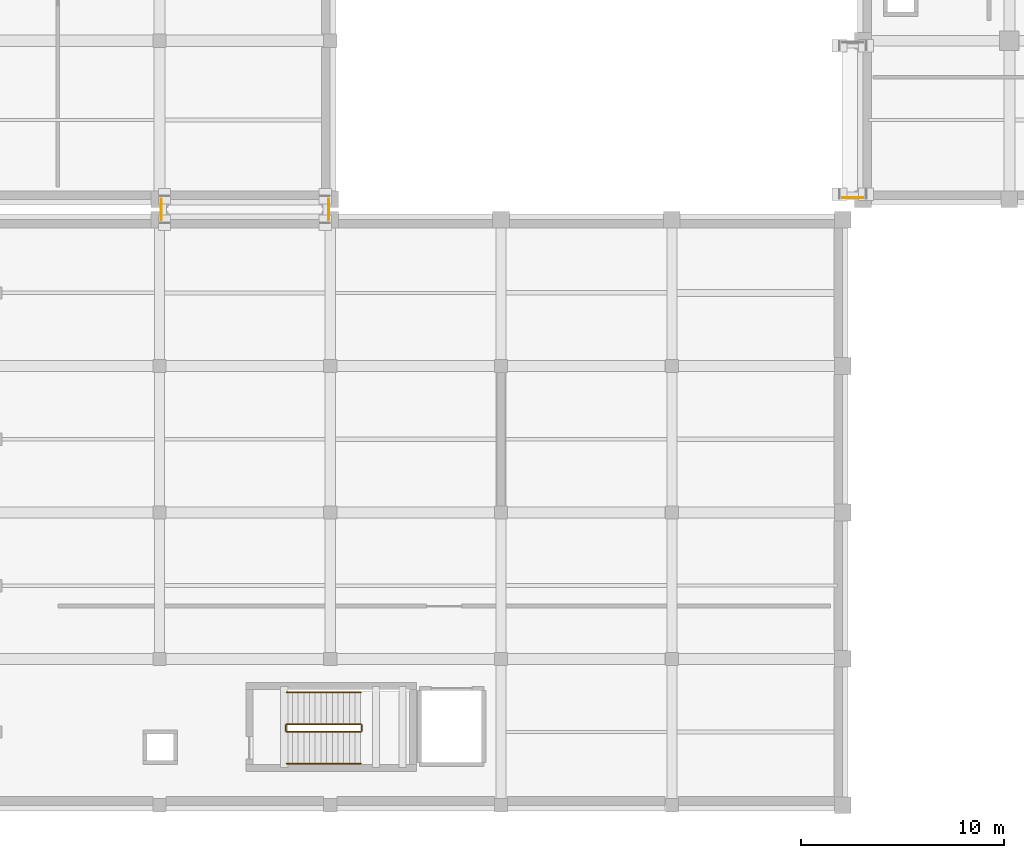
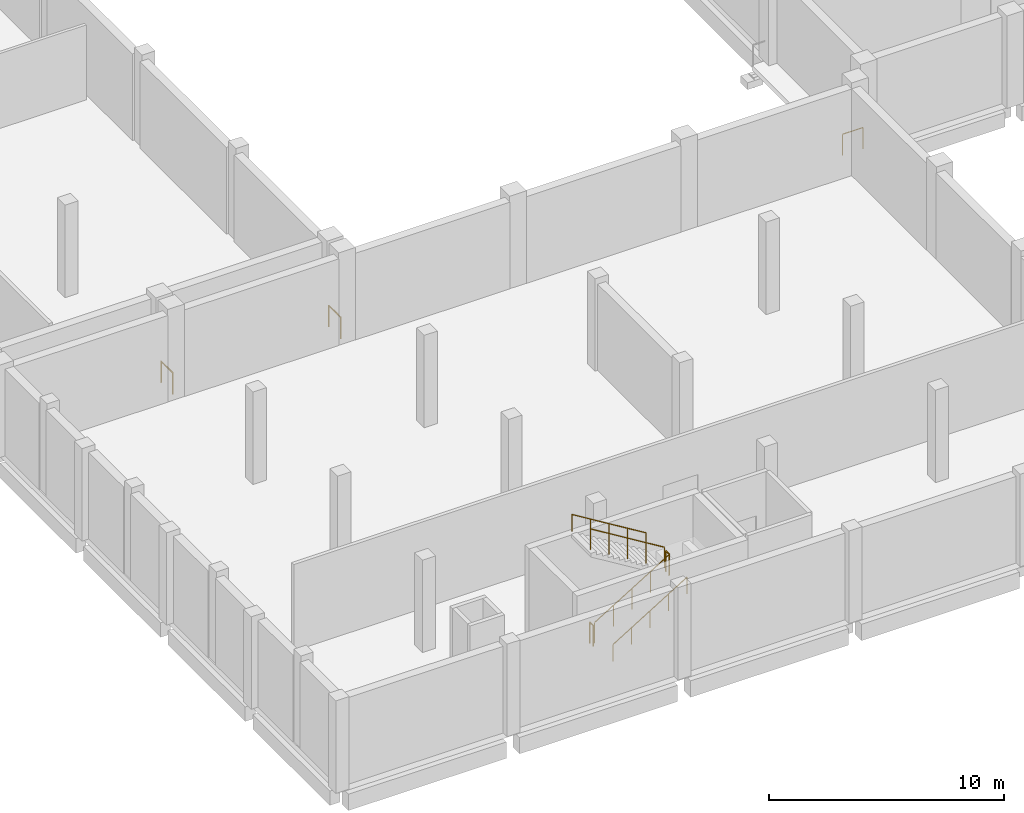
# One storey, part 24 of 31: 9 railings.
"""IFC4 building model written with IfcOpenShell, lengths in metres."""

from ifc_helpers import new_model, si_unit, direction, frame, origin, origin_2d, place, context, subcontext, project, spatial, circle, extrude, material, type_object, element, save


model = new_model("IFC4")

# Units and contexts
model_context = context("Model", 3, precision=1e-05, world=origin(), true_north=direction((0.0, 1.0)))
body_context = subcontext(model_context, "Body", "Model", "MODEL_VIEW")
ifc_project = project(units=[si_unit("LENGTHUNIT", "METRE"), si_unit("AREAUNIT", "SQUARE_METRE"), si_unit("VOLUMEUNIT", "CUBIC_METRE"), si_unit("PLANEANGLEUNIT", "RADIAN"), si_unit("MASSUNIT", "GRAM", prefix="KILO")], contexts=[model_context])

# Site, building, storey
site_placement = place(None, origin())
site = spatial("IfcSite", under=ifc_project, at=site_placement, CompositionType="ELEMENT")
building_placement = place(site_placement, origin())
building = spatial("IfcBuilding", under=site, at=building_placement, Name="Kelarvand Opera House", CompositionType="ELEMENT")
storey_placement = place(building_placement, frame((0.0, 0.0, -4.800048828125)))
storey = spatial("IfcBuildingStorey", under=building, at=storey_placement, Name="B1", CompositionType="ELEMENT", Elevation=-4.800048828125)

# Railings
ifc_material_1 = material(Name="Brushed bronze tubular rail")
railing_type_1 = type_object("IfcRailingType", Name="Brushed Bronze Stair Wall Handrail 900", PredefinedType="HANDRAIL", material=ifc_material_1)
railing_1_placement = place(storey_placement, frame((23.659912109375, 11.050048828125, 0.17138671875)))
element("IfcRailing", 1, at=railing_1_placement, inside=storey, type_object=railing_type_1, Name="B1 ST-06 stair handrail 1", PredefinedType="HANDRAIL", context=body_context, shape_type="SweptSolid", body=[
    extrude(circle(Radius=0.02392578125, at=origin_2d()), frame((0.0, 0.0, 0.8759765625), z_axis=(0.852840387347, 0.0, 0.522171689878), x_axis=(0.0, 1.0, 0.0)), (0.0, 0.0, 1.0), 4.268310546875),
    extrude(circle(Radius=0.02099609375, at=origin_2d()), origin(), (0.0, 0.0, 1.0), 0.851806640625),
    extrude(circle(Radius=0.02099609375, at=origin_2d()), frame((0.91015625, 0.0, 0.55712890625)), (0.0, 0.0, 1.0), 0.851806640625),
    extrude(circle(Radius=0.02099609375, at=origin_2d()), frame((1.820068359375, 0.0, 1.1142578125)), (0.0, 0.0, 1.0), 0.851806640625),
    extrude(circle(Radius=0.02099609375, at=origin_2d()), frame((2.72998046875, 0.0, 1.671630859375)), (0.0, 0.0, 1.0), 0.851806640625),
    extrude(circle(Radius=0.02099609375, at=origin_2d()), frame((3.64013671875, 0.0, 2.228759765625)), (0.0, 0.0, 1.0), 0.851806640625),
])
railing_2_placement = place(storey_placement, frame((27.300048828125, 14.550048828125, 2.571533203125)))
element("IfcRailing", 2, at=railing_2_placement, inside=storey, type_object=railing_type_1, Name="B1 ST-06 stair handrail 2", PredefinedType="HANDRAIL", context=body_context, shape_type="SweptSolid", body=[
    extrude(circle(Radius=0.02392578125, at=origin_2d()), frame((0.0, 0.0, 0.8759765625), z_axis=(-0.852865859571, 0.0, 0.52213008492), x_axis=(0.0, -1.0, 0.0)), (0.0, 0.0, 1.0), 4.26806640625),
    extrude(circle(Radius=0.02099609375, at=origin_2d()), origin(), (0.0, 0.0, 1.0), 0.851806640625),
    extrude(circle(Radius=0.02099609375, at=origin_2d()), frame((-0.91015625, 0.0, 0.55712890625)), (0.0, 0.0, 1.0), 0.851806640625),
    extrude(circle(Radius=0.02099609375, at=origin_2d()), frame((-1.820068359375, 0.0, 1.1142578125)), (0.0, 0.0, 1.0), 0.851806640625),
    extrude(circle(Radius=0.02099609375, at=origin_2d()), frame((-2.72998046875, 0.0, 1.67138671875)), (0.0, 0.0, 1.0), 0.851806640625),
    extrude(circle(Radius=0.02099609375, at=origin_2d()), frame((-3.64013671875, 0.0, 2.228515625)), (0.0, 0.0, 1.0), 0.851806640625),
])
ifc_material_2 = material(Name="Laminated safety glass with bronze cap rail", Category="glass")
railing_type_2 = type_object("IfcRailingType", Name="Laminated Glass and Bronze Foyer Balustrade 1120", PredefinedType="BALUSTRADE", material=ifc_material_2)
railing_3_placement = place(storey_placement, frame((51.0, 38.8798828125, 0.0)))
element("IfcRailing", 3, at=railing_3_placement, inside=storey, type_object=railing_type_2, Name="V1 B1 Balustrade 127", PredefinedType="BALUSTRADE", context=body_context, shape_type="SweptSolid", body=[
    extrude(circle(Radius=0.02392578125, at=origin_2d()), frame((0.0, 0.0, 1.09619140625), z_axis=(1.0, 0.0, 0.0), x_axis=(0.0, 1.0, 0.0)), (0.0, 0.0, 1.0), 1.0),
    extrude(circle(Radius=0.02099609375, at=origin_2d()), origin(), (0.0, 0.0, 1.0), 1.072021484375),
    extrude(circle(Radius=0.02099609375, at=origin_2d()), frame((1.0, 0.0, 0.0)), (0.0, 0.0, 1.0), 1.072021484375),
])
for number, where, name in (
    (4, (17.47998046875, 37.800048828125, 0.0), "V1 B1 Balustrade 159"),
    (5, (25.719970703125, 37.800048828125, 0.0), "V1 B1 Balustrade 160"),
):
    element("IfcRailing", number, at=place(storey_placement, frame(where)), inside=storey, type_object=railing_type_2, Name=name, PredefinedType="BALUSTRADE", context=body_context, shape_type="SweptSolid", body=[
        extrude(circle(Radius=0.02392578125, at=origin_2d()), frame((0.0, 0.0, 1.09619140625), z_axis=(0.0, 1.0, 0.0), x_axis=(-1.0, 0.0, 0.0)), (0.0, 0.0, 1.0), 1.0),
        extrude(circle(Radius=0.02099609375, at=origin_2d()), origin(), (0.0, 0.0, 1.0), 1.072021484375),
        extrude(circle(Radius=0.02099609375, at=origin_2d()), frame((0.0, 1.0, 0.0)), (0.0, 0.0, 1.0), 1.072021484375),
    ])
ifc_material_3 = material(Name="Powder-coated Steel S355", Category="steel")
railing_type_3 = type_object("IfcRailingType", Name="Painted Steel Stair and Void Guardrail 1100", PredefinedType="GUARDRAIL", material=ifc_material_3)
railing_4_placement = place(storey_placement, frame((23.659912109375, 12.610107421875, 0.17138671875)))
element("IfcRailing", 6, at=railing_4_placement, inside=storey, type_object=railing_type_3, Name="B1 ST-06 stair guard 1", PredefinedType="GUARDRAIL", context=body_context, shape_type="SweptSolid", body=[
    extrude(circle(Radius=0.02392578125, at=origin_2d()), frame((0.0, 0.0, 1.076171875), z_axis=(0.852840387347, 0.0, 0.522171689878), x_axis=(0.0, 1.0, 0.0)), (0.0, 0.0, 1.0), 4.268310546875),
    extrude(circle(Radius=0.02099609375, at=origin_2d()), origin(), (0.0, 0.0, 1.0), 1.052001953125),
    extrude(circle(Radius=0.02099609375, at=origin_2d()), frame((0.91015625, 0.0, 0.55712890625)), (0.0, 0.0, 1.0), 1.052001953125),
    extrude(circle(Radius=0.02099609375, at=origin_2d()), frame((1.820068359375, 0.0, 1.1142578125)), (0.0, 0.0, 1.0), 1.052001953125),
    extrude(circle(Radius=0.02099609375, at=origin_2d()), frame((2.72998046875, 0.0, 1.671630859375)), (0.0, 0.0, 1.0), 1.052001953125),
    extrude(circle(Radius=0.02099609375, at=origin_2d()), frame((3.64013671875, 0.0, 2.228759765625)), (0.0, 0.0, 1.0), 1.052001953125),
])
railing_5_placement = place(storey_placement, frame((27.35009765625, 12.659912109375, 2.400146484375)))
element("IfcRailing", 7, at=railing_5_placement, inside=storey, type_object=railing_type_3, Name="B1 ST-06 stair guard 2", PredefinedType="GUARDRAIL", context=body_context, shape_type="SweptSolid", body=[
    extrude(circle(Radius=0.02392578125, at=origin_2d()), frame((0.0, 0.0, 1.076171875), z_axis=(0.0, 1.0, 0.0), x_axis=(-1.0, 0.0, 0.0)), (0.0, 0.0, 1.0), 0.280029296875),
    extrude(circle(Radius=0.02099609375, at=origin_2d()), origin(), (0.0, 0.0, 1.0), 1.052001953125),
    extrude(circle(Radius=0.02099609375, at=origin_2d()), frame((0.0, 0.280029296875, 0.0)), (0.0, 0.0, 1.0), 1.052001953125),
])
railing_6_placement = place(storey_placement, frame((27.300048828125, 12.989990234375, 2.571533203125)))
element("IfcRailing", 8, at=railing_6_placement, inside=storey, type_object=railing_type_3, Name="B1 ST-06 stair guard 3", PredefinedType="GUARDRAIL", context=body_context, shape_type="SweptSolid", body=[
    extrude(circle(Radius=0.02392578125, at=origin_2d()), frame((0.0, 0.0, 1.076171875), z_axis=(-0.852865859571, 0.0, 0.52213008492), x_axis=(0.0, -1.0, 0.0)), (0.0, 0.0, 1.0), 4.26806640625),
    extrude(circle(Radius=0.02099609375, at=origin_2d()), origin(), (0.0, 0.0, 1.0), 1.052001953125),
    extrude(circle(Radius=0.02099609375, at=origin_2d()), frame((-0.91015625, 0.0, 0.55712890625)), (0.0, 0.0, 1.0), 1.052001953125),
    extrude(circle(Radius=0.02099609375, at=origin_2d()), frame((-1.820068359375, 0.0, 1.1142578125)), (0.0, 0.0, 1.0), 1.052001953125),
    extrude(circle(Radius=0.02099609375, at=origin_2d()), frame((-2.72998046875, 0.0, 1.67138671875)), (0.0, 0.0, 1.0), 1.052001953125),
    extrude(circle(Radius=0.02099609375, at=origin_2d()), frame((-3.64013671875, 0.0, 2.228515625)), (0.0, 0.0, 1.0), 1.052001953125),
])
railing_7_placement = place(storey_placement, frame((23.610107421875, 12.659912109375, 0.0)))
element("IfcRailing", 9, at=railing_7_placement, inside=storey, type_object=railing_type_3, Name="B1 ST-06 stair guard 4", PredefinedType="GUARDRAIL", context=body_context, shape_type="SweptSolid", body=[
    extrude(circle(Radius=0.02392578125, at=origin_2d()), frame((0.0, 0.0, 1.076171875), z_axis=(0.0, 1.0, 0.0), x_axis=(-1.0, 0.0, 0.0)), (0.0, 0.0, 1.0), 0.280029296875),
    extrude(circle(Radius=0.02099609375, at=origin_2d()), origin(), (0.0, 0.0, 1.0), 1.052001953125),
    extrude(circle(Radius=0.02099609375, at=origin_2d()), frame((0.0, 0.280029296875, 0.0)), (0.0, 0.0, 1.0), 1.052001953125),
])

save(model, "model.ifc")
